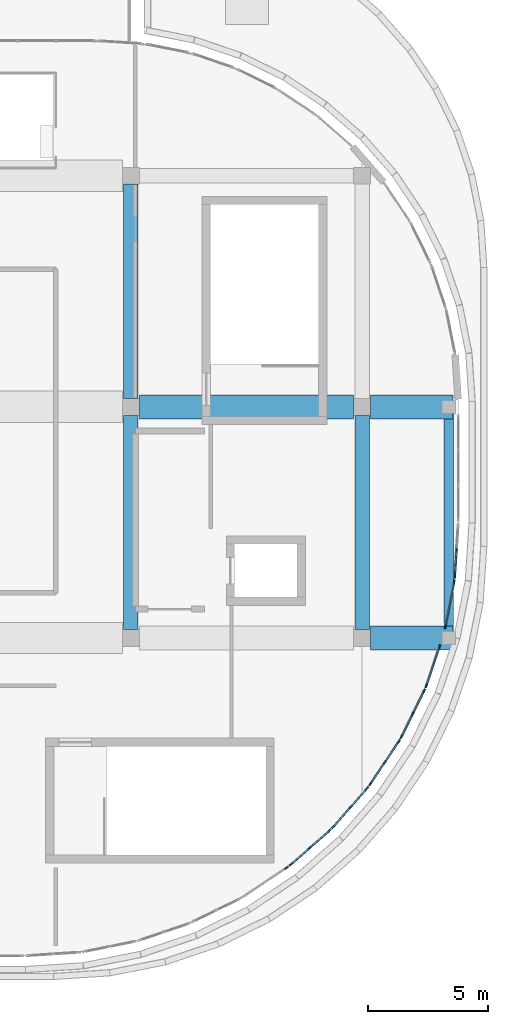
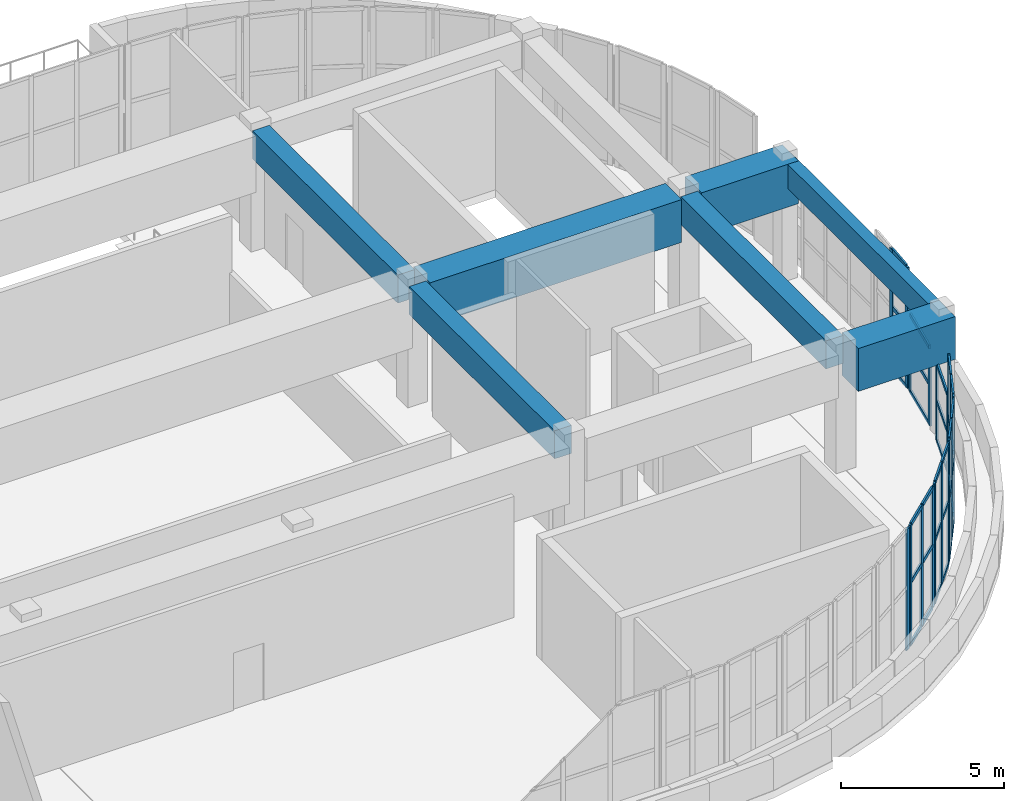
# One storey, part 8 of 23: 52 members, 7 beams, 8 elements without a shape of their own.
"""IFC4 building model written with IfcOpenShell, lengths in metres."""

from ifc_helpers import new_model, si_unit, direction, frame, origin, origin_2d, place, context, subcontext, project, spatial, rectangle, extrude, material, layer, layer_set, material_profile, profile_set, type_object, element, aggregate, save


model = new_model("IFC4")

# Units and contexts
model_context = context("Model", 3, precision=1e-05, world=origin(), true_north=direction((0.0, 1.0)))
body_context = subcontext(model_context, "Body", "Model", "MODEL_VIEW")
ifc_project = project(units=[si_unit("LENGTHUNIT", "METRE"), si_unit("AREAUNIT", "SQUARE_METRE"), si_unit("VOLUMEUNIT", "CUBIC_METRE"), si_unit("PLANEANGLEUNIT", "RADIAN"), si_unit("MASSUNIT", "GRAM", prefix="KILO")], contexts=[model_context])

# Site, building, storey
site_placement = place(None, origin())
site = spatial("IfcSite", under=ifc_project, at=site_placement, CompositionType="ELEMENT")
building_placement = place(site_placement, origin())
building = spatial("IfcBuilding", under=site, at=building_placement, Name="Cendralis Terraced Arcade", CompositionType="ELEMENT")
storey_placement = place(building_placement, frame((0.0, 0.0, 29.39990234375)))
storey = spatial("IfcBuildingStorey", under=building, at=storey_placement, Name="L06", CompositionType="ELEMENT", Elevation=29.39990234375)

# Beams
ifc_material_1 = material(Name="Concrete f'c 35 MPa", Category="concrete")
ifc_material_profile_1 = material_profile(ifc_material_1, rectangle(XDim=0.60009765625, YDim=1.050048828125, at=origin_2d()), Name="RC-BM-600x1050", Category="LoadBearing")
ifc_profile_set_1 = profile_set([ifc_material_profile_1], Name="Concrete f'c 35 MPa")
beam_type_1 = type_object("IfcBeamType", Name="BM-600x1050", PredefinedType="JOIST", material=ifc_profile_set_1)
beam_1_placement = place(storey_placement, frame((48.0, 19.550048828125, 4.0), z_axis=(0.0, 1.0, 0.0), x_axis=(-1.0, 0.0, 0.0)))
element("IfcBeam", 1, at=beam_1_placement, inside=storey, type_object=beam_type_1, Name="Reinforced Concrete Frame Beam BM-Y-RF-6-C_D", PredefinedType="JOIST", context=body_context, shape_type="SweptSolid", body=[
    extrude(rectangle(XDim=0.60009765625, YDim=1.050048828125, at=origin_2d()), origin(), (0.0, 0.0, 1.0), 8.89990234375),
])
beam_2_placement = place(storey_placement, frame((48.0, 29.14990234375, 4.0), z_axis=(0.0, 1.0, 0.0), x_axis=(-1.0, 0.0, 0.0)))
element("IfcBeam", 2, at=beam_2_placement, inside=storey, type_object=beam_type_1, Name="Reinforced Concrete Frame Beam BM-Y-RF-6-D_E", PredefinedType="JOIST", context=body_context, shape_type="SweptSolid", body=[
    extrude(rectangle(XDim=0.60009765625, YDim=1.050048828125, at=origin_2d()), origin(), (0.0, 0.0, 1.0), 8.900146484375),
])
beam_3_placement = place(storey_placement, frame((57.60009765625, 19.550048828125, 4.0), z_axis=(0.0, 1.0, 0.0), x_axis=(-1.0, 0.0, 0.0)))
element("IfcBeam", 3, at=beam_3_placement, inside=storey, type_object=beam_type_1, Name="Reinforced Concrete Frame Beam BM-Y-RF-7-C_D", PredefinedType="JOIST", context=body_context, shape_type="SweptSolid", body=[
    extrude(rectangle(XDim=0.60009765625, YDim=1.050048828125, at=origin_2d()), origin(), (0.0, 0.0, 1.0), 8.89990234375),
])
ifc_material_2 = material(Name="Concrete f'c 42 MPa", Category="concrete")
ifc_material_profile_2 = material_profile(ifc_material_2, rectangle(XDim=1.0, YDim=1.60009765625, at=origin_2d()), Name="RC-TG-1000x1600", Category="LoadBearing")
ifc_profile_set_2 = profile_set([ifc_material_profile_2], Name="Concrete f'c 42 MPa")
beam_type_2 = type_object("IfcBeamType", Name="BM-TG-1000x1600", PredefinedType="USERDEFINED", material=ifc_profile_set_2)
beam_4_placement = place(storey_placement, frame((57.949951171875, 19.199951171875, 3.72509765625), z_axis=(1.0, 0.0, 0.0), x_axis=(0.0, 1.0, 0.0)))
element("IfcBeam", 4, at=beam_4_placement, inside=storey, type_object=beam_type_2, Name="Reinforced Concrete Transfer Girder TG-RF-C-CANT", ObjectType="TRANSFER GIRDER", PredefinedType="USERDEFINED", context=body_context, shape_type="SweptSolid", body=[
    extrude(rectangle(XDim=1.0, YDim=1.60009765625, at=origin_2d()), origin(), (0.0, 0.0, 1.0), 3.429931640625),
])
beam_5_placement = place(storey_placement, frame((48.35009765625, 28.800048828125, 3.72509765625), z_axis=(1.0, 0.0, 0.0), x_axis=(0.0, 1.0, 0.0)))
element("IfcBeam", 5, at=beam_5_placement, inside=storey, type_object=beam_type_2, Name="Reinforced Concrete Transfer Girder TG-RF-D-BACK", ObjectType="TRANSFER GIRDER", PredefinedType="USERDEFINED", context=body_context, shape_type="SweptSolid", body=[
    extrude(rectangle(XDim=1.0, YDim=1.60009765625, at=origin_2d()), origin(), (0.0, 0.0, 1.0), 8.89990234375),
])
beam_6_placement = place(storey_placement, frame((57.949951171875, 28.800048828125, 3.72509765625), z_axis=(1.0, 0.0, 0.0), x_axis=(0.0, 1.0, 0.0)))
element("IfcBeam", 6, at=beam_6_placement, inside=storey, type_object=beam_type_2, Name="Reinforced Concrete Transfer Girder TG-RF-D-CANT", ObjectType="TRANSFER GIRDER", PredefinedType="USERDEFINED", context=body_context, shape_type="SweptSolid", body=[
    extrude(rectangle(XDim=1.0, YDim=1.60009765625, at=origin_2d()), origin(), (0.0, 0.0, 1.0), 3.429931640625),
])

# Curtain wall, members
ifc_material_3 = material(Name="Anodised aluminium EN AW-6063 T6", Category="aluminium")
ifc_layer = layer(ifc_material_3, 0.179931640625, Name="CW-UNIT-A")
ifc_layer_set = layer_set([ifc_layer], Name="Anodised aluminium EN AW-6063 T6")
curtain_wall_type = type_object("IfcCurtainWallType", Name="CW-UNIT-A", PredefinedType="USERDEFINED", material=ifc_layer_set)
curtain_wall_1_placement = place(storey_placement, origin())
curtain_wall_1 = element("IfcCurtainWall", 7, at=curtain_wall_1_placement, inside=storey, type_object=curtain_wall_type, Name="Exterior Unitised Facade CW-L06-0470", ObjectType="UNITISED FACADE", PredefinedType="USERDEFINED")
ifc_material_profile_3 = material_profile(ifc_material_3, rectangle(XDim=0.06494140625, YDim=0.179931640625, at=origin_2d()), Name="ALU-MUL-65x180")
ifc_profile_set_3 = profile_set([ifc_material_profile_3], Name="Anodised aluminium EN AW-6063 T6")
member_type_1 = type_object("IfcMemberType", Name="CW-UNIT-A-MUL", PredefinedType="MULLION", material=ifc_profile_set_3)
member_1_placement = place(storey_placement, frame((61.52294921875, 22.8251953125, 0.0), z_axis=(0.0, 0.0, 1.0), x_axis=(0.99785960626, -0.065392707503, 0.0)))
member_1 = element("IfcMember", 8, at=member_1_placement, type_object=member_type_1, Name="CW-U1 mullion 2", PredefinedType="MULLION", context=body_context, shape_type="SweptSolid", body=[
    extrude(rectangle(XDim=0.06494140625, YDim=0.179931640625, at=origin_2d()), origin(), (0.0, 0.0, 1.0), 4.525146484375),
])
member_2_placement = place(storey_placement, frame((61.4541015625, 21.772705078125, 0.0), z_axis=(0.0, 0.0, 1.0), x_axis=(0.99785960626, -0.065392707503, 0.0)))
member_2 = element("IfcMember", 9, at=member_2_placement, type_object=member_type_1, Name="CW-U1 mullion 3", PredefinedType="MULLION", context=body_context, shape_type="SweptSolid", body=[
    extrude(rectangle(XDim=0.06494140625, YDim=0.179931640625, at=origin_2d()), origin(), (0.0, 0.0, 1.0), 4.525146484375),
])

curtain_wall_2_placement = place(storey_placement, origin())
curtain_wall_2 = element("IfcCurtainWall", 10, at=curtain_wall_2_placement, inside=storey, type_object=curtain_wall_type, Name="Exterior Unitised Facade CW-L06-0471", ObjectType="UNITISED FACADE", PredefinedType="USERDEFINED")
member_3_placement = place(storey_placement, frame((61.422119140625, 21.5302734375, 0.0), z_axis=(0.0, 0.0, 1.0), x_axis=(0.980799222749, -0.195020216019, 0.0)))
member_3 = element("IfcMember", 11, at=member_3_placement, type_object=member_type_1, Name="CW-U1 mullion 1", PredefinedType="MULLION", context=body_context, shape_type="SweptSolid", body=[
    extrude(rectangle(XDim=0.06494140625, YDim=0.179931640625, at=origin_2d()), origin(), (0.0, 0.0, 1.0), 2.9150390625),
])
member_4_placement = place(storey_placement, frame((61.054931640625, 19.68359375, 0.0), z_axis=(0.0, 0.0, 1.0), x_axis=(0.980799222749, -0.195020216019, 0.0)))
member_4 = element("IfcMember", 12, at=member_4_placement, type_object=member_type_1, Name="CW-U1 mullion 2", PredefinedType="MULLION", context=body_context, shape_type="SweptSolid", body=[
    extrude(rectangle(XDim=0.06494140625, YDim=0.179931640625, at=origin_2d()), origin(), (0.0, 0.0, 1.0), 2.9150390625),
])

curtain_wall_3_placement = place(storey_placement, origin())
curtain_wall_3 = element("IfcCurtainWall", 13, at=curtain_wall_3_placement, inside=storey, type_object=curtain_wall_type, Name="Exterior Unitised Facade CW-L06-0472", ObjectType="UNITISED FACADE", PredefinedType="USERDEFINED")
member_5_placement = place(storey_placement, frame((60.814208984375, 18.833251953125, 0.0), z_axis=(0.0, 0.0, 1.0), x_axis=(0.946913564656, -0.321488259615, 0.0)))
member_5 = element("IfcMember", 14, at=member_5_placement, type_object=member_type_1, Name="CW-U1 mullion 1", PredefinedType="MULLION", context=body_context, shape_type="SweptSolid", body=[
    extrude(rectangle(XDim=0.06494140625, YDim=0.179931640625, at=origin_2d()), origin(), (0.0, 0.0, 1.0), 2.9150390625),
])
member_6_placement = place(storey_placement, frame((60.26904296875, 17.227783203125, 0.0), z_axis=(0.0, 0.0, 1.0), x_axis=(0.946913564656, -0.321488259615, 0.0)))
member_6 = element("IfcMember", 15, at=member_6_placement, type_object=member_type_1, Name="CW-U1 mullion 2", PredefinedType="MULLION", context=body_context, shape_type="SweptSolid", body=[
    extrude(rectangle(XDim=0.06494140625, YDim=0.179931640625, at=origin_2d()), origin(), (0.0, 0.0, 1.0), 2.9150390625),
])

curtain_wall_4_placement = place(storey_placement, origin())
curtain_wall_4 = element("IfcCurtainWall", 16, at=curtain_wall_4_placement, inside=storey, type_object=curtain_wall_type, Name="Exterior Unitised Facade CW-L06-0473", ObjectType="UNITISED FACADE", PredefinedType="USERDEFINED")
member_7_placement = place(storey_placement, frame((60.175537109375, 17.001953125, 0.0), z_axis=(0.0, 0.0, 1.0), x_axis=(0.896887612731, -0.442258533133, 0.0)))
member_7 = element("IfcMember", 17, at=member_7_placement, type_object=member_type_1, Name="CW-U1 mullion 1", PredefinedType="MULLION", context=body_context, shape_type="SweptSolid", body=[
    extrude(rectangle(XDim=0.06494140625, YDim=0.179931640625, at=origin_2d()), origin(), (0.0, 0.0, 1.0), 4.525146484375),
])
member_8_placement = place(storey_placement, frame((59.709228515625, 16.055908203125, 0.0), z_axis=(0.0, 0.0, 1.0), x_axis=(0.896887612731, -0.442258533133, 0.0)))
member_8 = element("IfcMember", 18, at=member_8_placement, type_object=member_type_1, Name="CW-U1 mullion 2", PredefinedType="MULLION", context=body_context, shape_type="SweptSolid", body=[
    extrude(rectangle(XDim=0.06494140625, YDim=0.179931640625, at=origin_2d()), origin(), (0.0, 0.0, 1.0), 4.525146484375),
])
member_9_placement = place(storey_placement, frame((59.24267578125, 15.10986328125, 0.0), z_axis=(0.0, 0.0, 1.0), x_axis=(0.896887612731, -0.442258533133, 0.0)))
member_9 = element("IfcMember", 19, at=member_9_placement, type_object=member_type_1, Name="CW-U1 mullion 3", PredefinedType="MULLION", context=body_context, shape_type="SweptSolid", body=[
    extrude(rectangle(XDim=0.06494140625, YDim=0.179931640625, at=origin_2d()), origin(), (0.0, 0.0, 1.0), 4.525146484375),
])

curtain_wall_5_placement = place(storey_placement, origin())
curtain_wall_5 = element("IfcCurtainWall", 20, at=curtain_wall_5_placement, inside=storey, type_object=curtain_wall_type, Name="Exterior Unitised Facade CW-L06-0474", ObjectType="UNITISED FACADE", PredefinedType="USERDEFINED")
member_10_placement = place(storey_placement, frame((59.120361328125, 14.898193359375, 0.0), z_axis=(0.0, 0.0, 1.0), x_axis=(0.831476791301, -0.555559488738, 0.0)))
member_10 = element("IfcMember", 21, at=member_10_placement, type_object=member_type_1, Name="CW-U1 mullion 1", PredefinedType="MULLION", context=body_context, shape_type="SweptSolid", body=[
    extrude(rectangle(XDim=0.06494140625, YDim=0.179931640625, at=origin_2d()), origin(), (0.0, 0.0, 1.0), 4.525146484375),
])
member_11_placement = place(storey_placement, frame((58.534423828125, 14.021240234375, 0.0), z_axis=(0.0, 0.0, 1.0), x_axis=(0.831476791301, -0.555559488738, 0.0)))
member_11 = element("IfcMember", 22, at=member_11_placement, type_object=member_type_1, Name="CW-U1 mullion 2", PredefinedType="MULLION", context=body_context, shape_type="SweptSolid", body=[
    extrude(rectangle(XDim=0.06494140625, YDim=0.179931640625, at=origin_2d()), origin(), (0.0, 0.0, 1.0), 4.525146484375),
])
member_12_placement = place(storey_placement, frame((57.948486328125, 13.14404296875, 0.0), z_axis=(0.0, 0.0, 1.0), x_axis=(0.831476791301, -0.555559488738, 0.0)))
member_12 = element("IfcMember", 23, at=member_12_placement, type_object=member_type_1, Name="CW-U1 mullion 3", PredefinedType="MULLION", context=body_context, shape_type="SweptSolid", body=[
    extrude(rectangle(XDim=0.06494140625, YDim=0.179931640625, at=origin_2d()), origin(), (0.0, 0.0, 1.0), 4.525146484375),
])

curtain_wall_6_placement = place(storey_placement, origin())
curtain_wall_6 = element("IfcCurtainWall", 24, at=curtain_wall_6_placement, inside=storey, type_object=curtain_wall_type, Name="Exterior Unitised Facade CW-L06-0475", ObjectType="UNITISED FACADE", PredefinedType="USERDEFINED")
member_13_placement = place(storey_placement, frame((57.799560546875, 12.9501953125, 0.0), z_axis=(0.0, 0.0, 1.0), x_axis=(0.75178990847, -0.659402709672, 0.0)))
member_13 = element("IfcMember", 25, at=member_13_placement, type_object=member_type_1, Name="CW-U1 mullion 1", PredefinedType="MULLION", context=body_context, shape_type="SweptSolid", body=[
    extrude(rectangle(XDim=0.06494140625, YDim=0.179931640625, at=origin_2d()), origin(), (0.0, 0.0, 1.0), 4.525146484375),
])
member_14_placement = place(storey_placement, frame((57.104248046875, 12.1572265625, 0.0), z_axis=(0.0, 0.0, 1.0), x_axis=(0.75178990847, -0.659402709672, 0.0)))
member_14 = element("IfcMember", 26, at=member_14_placement, type_object=member_type_1, Name="CW-U1 mullion 2", PredefinedType="MULLION", context=body_context, shape_type="SweptSolid", body=[
    extrude(rectangle(XDim=0.06494140625, YDim=0.179931640625, at=origin_2d()), origin(), (0.0, 0.0, 1.0), 4.525146484375),
])
member_15_placement = place(storey_placement, frame((56.40869140625, 11.3642578125, 0.0), z_axis=(0.0, 0.0, 1.0), x_axis=(0.75178990847, -0.659402709672, 0.0)))
member_15 = element("IfcMember", 27, at=member_15_placement, type_object=member_type_1, Name="CW-U1 mullion 3", PredefinedType="MULLION", context=body_context, shape_type="SweptSolid", body=[
    extrude(rectangle(XDim=0.06494140625, YDim=0.179931640625, at=origin_2d()), origin(), (0.0, 0.0, 1.0), 4.525146484375),
])

curtain_wall_7_placement = place(storey_placement, origin())
curtain_wall_7 = element("IfcCurtainWall", 28, at=curtain_wall_7_placement, inside=storey, type_object=curtain_wall_type, Name="Exterior Unitised Facade CW-L06-0476", ObjectType="UNITISED FACADE", PredefinedType="USERDEFINED")
member_16_placement = place(storey_placement, frame((56.23583984375, 11.19140625, 0.0), z_axis=(0.0, 0.0, 1.0), x_axis=(0.659402709672, -0.75178990847, 0.0)))
member_16 = element("IfcMember", 29, at=member_16_placement, type_object=member_type_1, Name="CW-U1 mullion 1", PredefinedType="MULLION", context=body_context, shape_type="SweptSolid", body=[
    extrude(rectangle(XDim=0.06494140625, YDim=0.179931640625, at=origin_2d()), origin(), (0.0, 0.0, 1.0), 4.525146484375),
])
member_17_placement = place(storey_placement, frame((55.44287109375, 10.495849609375, 0.0), z_axis=(0.0, 0.0, 1.0), x_axis=(0.659402709672, -0.75178990847, 0.0)))
member_17 = element("IfcMember", 30, at=member_17_placement, type_object=member_type_1, Name="CW-U1 mullion 2", PredefinedType="MULLION", context=body_context, shape_type="SweptSolid", body=[
    extrude(rectangle(XDim=0.06494140625, YDim=0.179931640625, at=origin_2d()), origin(), (0.0, 0.0, 1.0), 4.525146484375),
])
member_18_placement = place(storey_placement, frame((54.64990234375, 9.80029296875, 0.0), z_axis=(0.0, 0.0, 1.0), x_axis=(0.659402709672, -0.75178990847, 0.0)))
member_18 = element("IfcMember", 31, at=member_18_placement, type_object=member_type_1, Name="CW-U1 mullion 3", PredefinedType="MULLION", context=body_context, shape_type="SweptSolid", body=[
    extrude(rectangle(XDim=0.06494140625, YDim=0.179931640625, at=origin_2d()), origin(), (0.0, 0.0, 1.0), 4.525146484375),
])

# Curtain wall, member
curtain_wall_8_placement = place(storey_placement, origin())
curtain_wall_8 = element("IfcCurtainWall", 32, at=curtain_wall_8_placement, inside=storey, type_object=curtain_wall_type, Name="Exterior Unitised Facade CW-L06-0477", ObjectType="UNITISED FACADE", PredefinedType="USERDEFINED")
member_19_placement = place(storey_placement, frame((54.455810546875, 9.651611328125, 0.0), z_axis=(0.0, 0.0, 1.0), x_axis=(0.555559488738, -0.831476791301, 0.0)))
member_19 = element("IfcMember", 33, at=member_19_placement, type_object=member_type_1, Name="CW-U1 mullion 1", PredefinedType="MULLION", context=body_context, shape_type="SweptSolid", body=[
    extrude(rectangle(XDim=0.06494140625, YDim=0.179931640625, at=origin_2d()), origin(), (0.0, 0.0, 1.0), 4.525146484375),
])
aggregate(curtain_wall_8, [member_19])

# Member
ifc_material_profile_4 = material_profile(ifc_material_3, rectangle(XDim=0.06494140625, YDim=0.14990234375, at=origin_2d()), Name="ALU-TRN-65x150")
ifc_profile_set_4 = profile_set([ifc_material_profile_4], Name="Anodised aluminium EN AW-6063 T6")
member_type_2 = type_object("IfcMemberType", Name="CW-UNIT-A-TRN", PredefinedType="USERDEFINED", material=ifc_profile_set_4)
member_20_placement = place(storey_placement, frame((61.52099609375, 22.792724609375, 0.03271484375), z_axis=(-0.065618470456, -0.997844785693, 0.0), x_axis=(0.997844785693, -0.065618470456, 0.0)))
member_20 = element("IfcMember", 34, at=member_20_placement, type_object=member_type_2, Name="CW-U1 transom 2.1", ObjectType="TRANSOM", PredefinedType="USERDEFINED", context=body_context, shape_type="SweptSolid", body=[
    extrude(rectangle(XDim=0.06494140625, YDim=0.14990234375, at=origin_2d()), origin(), (0.0, 0.0, 1.0), 0.98974609375),
])

member_21_placement = place(storey_placement, frame((61.52099609375, 22.792724609375, 2.35302734375), z_axis=(-0.065618470456, -0.997844785693, 0.0), x_axis=(0.997844785693, -0.065618470456, 0.0)))
member_21 = element("IfcMember", 35, at=member_21_placement, type_object=member_type_2, Name="CW-U1 transom 2.2", ObjectType="TRANSOM", PredefinedType="USERDEFINED", context=body_context, shape_type="SweptSolid", body=[
    extrude(rectangle(XDim=0.06494140625, YDim=0.14990234375, at=origin_2d()), origin(), (0.0, 0.0, 1.0), 0.98974609375),
])

member_22_placement = place(storey_placement, frame((61.52099609375, 22.792724609375, 4.49267578125), z_axis=(-0.065618470456, -0.997844785693, 0.0), x_axis=(0.997844785693, -0.065618470456, 0.0)))
member_22 = element("IfcMember", 36, at=member_22_placement, type_object=member_type_2, Name="CW-U1 transom 2.3", ObjectType="TRANSOM", PredefinedType="USERDEFINED", context=body_context, shape_type="SweptSolid", body=[
    extrude(rectangle(XDim=0.06494140625, YDim=0.14990234375, at=origin_2d()), origin(), (0.0, 0.0, 1.0), 0.98974609375),
])

aggregate(curtain_wall_1, [member_1, member_2, member_20, member_21, member_22])

member_23_placement = place(storey_placement, frame((61.415771484375, 21.49853515625, 0.03271484375), z_axis=(-0.194979757801, -0.980807266515, 0.0), x_axis=(0.980807266515, -0.194979757801, 0.0)))
member_23 = element("IfcMember", 37, at=member_23_placement, type_object=member_type_2, Name="CW-U1 transom 1.1", ObjectType="TRANSOM", PredefinedType="USERDEFINED", context=body_context, shape_type="SweptSolid", body=[
    extrude(rectangle(XDim=0.06494140625, YDim=0.14990234375, at=origin_2d()), origin(), (0.0, 0.0, 1.0), 1.818115234375),
])

member_24_placement = place(storey_placement, frame((61.415771484375, 21.49853515625, 1.515869140625), z_axis=(-0.194979757801, -0.980807266515, 0.0), x_axis=(0.980807266515, -0.194979757801, 0.0)))
member_24 = element("IfcMember", 38, at=member_24_placement, type_object=member_type_2, Name="CW-U1 transom 1.2", ObjectType="TRANSOM", PredefinedType="USERDEFINED", context=body_context, shape_type="SweptSolid", body=[
    extrude(rectangle(XDim=0.06494140625, YDim=0.14990234375, at=origin_2d()), origin(), (0.0, 0.0, 1.0), 1.818115234375),
])

member_25_placement = place(storey_placement, frame((61.415771484375, 21.49853515625, 2.882568359375), z_axis=(-0.194979757801, -0.980807266515, 0.0), x_axis=(0.980807266515, -0.194979757801, 0.0)))
member_25 = element("IfcMember", 39, at=member_25_placement, type_object=member_type_2, Name="CW-U1 transom 1.3", ObjectType="TRANSOM", PredefinedType="USERDEFINED", context=body_context, shape_type="SweptSolid", body=[
    extrude(rectangle(XDim=0.06494140625, YDim=0.14990234375, at=origin_2d()), origin(), (0.0, 0.0, 1.0), 1.818115234375),
])

aggregate(curtain_wall_2, [member_3, member_4, member_23, member_24, member_25])

member_26_placement = place(storey_placement, frame((60.8037109375, 18.802490234375, 0.03271484375), z_axis=(-0.321478571359, -0.946916853877, 0.0), x_axis=(0.946916853877, -0.321478571359, 0.0)))
member_26 = element("IfcMember", 40, at=member_26_placement, type_object=member_type_2, Name="CW-U1 transom 1.1", ObjectType="TRANSOM", PredefinedType="USERDEFINED", context=body_context, shape_type="SweptSolid", body=[
    extrude(rectangle(XDim=0.06494140625, YDim=0.14990234375, at=origin_2d()), origin(), (0.0, 0.0, 1.0), 1.630615234375),
])

member_27_placement = place(storey_placement, frame((60.8037109375, 18.802490234375, 1.515869140625), z_axis=(-0.321478571359, -0.946916853877, 0.0), x_axis=(0.946916853877, -0.321478571359, 0.0)))
member_27 = element("IfcMember", 41, at=member_27_placement, type_object=member_type_2, Name="CW-U1 transom 1.2", ObjectType="TRANSOM", PredefinedType="USERDEFINED", context=body_context, shape_type="SweptSolid", body=[
    extrude(rectangle(XDim=0.06494140625, YDim=0.14990234375, at=origin_2d()), origin(), (0.0, 0.0, 1.0), 1.630615234375),
])

member_28_placement = place(storey_placement, frame((60.8037109375, 18.802490234375, 2.882568359375), z_axis=(-0.321478571359, -0.946916853877, 0.0), x_axis=(0.946916853877, -0.321478571359, 0.0)))
member_28 = element("IfcMember", 42, at=member_28_placement, type_object=member_type_2, Name="CW-U1 transom 1.3", ObjectType="TRANSOM", PredefinedType="USERDEFINED", context=body_context, shape_type="SweptSolid", body=[
    extrude(rectangle(XDim=0.06494140625, YDim=0.14990234375, at=origin_2d()), origin(), (0.0, 0.0, 1.0), 1.630615234375),
])

aggregate(curtain_wall_3, [member_5, member_6, member_26, member_27, member_28])

member_29_placement = place(storey_placement, frame((60.1611328125, 16.97265625, 0.03271484375), z_axis=(-0.442075008345, -0.896978086129, 0.0), x_axis=(0.896978086129, -0.442075008345, 0.0)))
member_29 = element("IfcMember", 43, at=member_29_placement, type_object=member_type_2, Name="CW-U1 transom 1.1", ObjectType="TRANSOM", PredefinedType="USERDEFINED", context=body_context, shape_type="SweptSolid", body=[
    extrude(rectangle(XDim=0.06494140625, YDim=0.14990234375, at=origin_2d()), origin(), (0.0, 0.0, 1.0), 0.98974609375),
])

member_30_placement = place(storey_placement, frame((60.1611328125, 16.97265625, 2.35302734375), z_axis=(-0.442075008345, -0.896978086129, 0.0), x_axis=(0.896978086129, -0.442075008345, 0.0)))
member_30 = element("IfcMember", 44, at=member_30_placement, type_object=member_type_2, Name="CW-U1 transom 1.2", ObjectType="TRANSOM", PredefinedType="USERDEFINED", context=body_context, shape_type="SweptSolid", body=[
    extrude(rectangle(XDim=0.06494140625, YDim=0.14990234375, at=origin_2d()), origin(), (0.0, 0.0, 1.0), 0.98974609375),
])

member_31_placement = place(storey_placement, frame((60.1611328125, 16.97265625, 4.49267578125), z_axis=(-0.442075008345, -0.896978086129, 0.0), x_axis=(0.896978086129, -0.442075008345, 0.0)))
member_31 = element("IfcMember", 45, at=member_31_placement, type_object=member_type_2, Name="CW-U1 transom 1.3", ObjectType="TRANSOM", PredefinedType="USERDEFINED", context=body_context, shape_type="SweptSolid", body=[
    extrude(rectangle(XDim=0.06494140625, YDim=0.14990234375, at=origin_2d()), origin(), (0.0, 0.0, 1.0), 0.98974609375),
])

member_32_placement = place(storey_placement, frame((59.69482421875, 16.026611328125, 0.03271484375), z_axis=(-0.442273458104, -0.89688025302, 0.0), x_axis=(0.89688025302, -0.442273458104, 0.0)))
member_32 = element("IfcMember", 46, at=member_32_placement, type_object=member_type_2, Name="CW-U1 transom 2.1", ObjectType="TRANSOM", PredefinedType="USERDEFINED", context=body_context, shape_type="SweptSolid", body=[
    extrude(rectangle(XDim=0.06494140625, YDim=0.14990234375, at=origin_2d()), origin(), (0.0, 0.0, 1.0), 0.98974609375),
])

member_33_placement = place(storey_placement, frame((59.69482421875, 16.026611328125, 2.35302734375), z_axis=(-0.442273458104, -0.89688025302, 0.0), x_axis=(0.89688025302, -0.442273458104, 0.0)))
member_33 = element("IfcMember", 47, at=member_33_placement, type_object=member_type_2, Name="CW-U1 transom 2.2", ObjectType="TRANSOM", PredefinedType="USERDEFINED", context=body_context, shape_type="SweptSolid", body=[
    extrude(rectangle(XDim=0.06494140625, YDim=0.14990234375, at=origin_2d()), origin(), (0.0, 0.0, 1.0), 0.98974609375),
])

member_34_placement = place(storey_placement, frame((59.69482421875, 16.026611328125, 4.49267578125), z_axis=(-0.442273458104, -0.89688025302, 0.0), x_axis=(0.89688025302, -0.442273458104, 0.0)))
member_34 = element("IfcMember", 48, at=member_34_placement, type_object=member_type_2, Name="CW-U1 transom 2.3", ObjectType="TRANSOM", PredefinedType="USERDEFINED", context=body_context, shape_type="SweptSolid", body=[
    extrude(rectangle(XDim=0.06494140625, YDim=0.14990234375, at=origin_2d()), origin(), (0.0, 0.0, 1.0), 0.98974609375),
])

aggregate(curtain_wall_4, [member_7, member_8, member_9, member_29, member_30, member_31, member_32, member_33, member_34])

member_35_placement = place(storey_placement, frame((59.102294921875, 14.87109375, 0.03271484375), z_axis=(-0.555496869946, -0.83151862726, 0.0), x_axis=(0.83151862726, -0.555496869946, 0.0)))
member_35 = element("IfcMember", 49, at=member_35_placement, type_object=member_type_2, Name="CW-U1 transom 1.1", ObjectType="TRANSOM", PredefinedType="USERDEFINED", context=body_context, shape_type="SweptSolid", body=[
    extrude(rectangle(XDim=0.06494140625, YDim=0.14990234375, at=origin_2d()), origin(), (0.0, 0.0, 1.0), 0.98974609375),
])

member_36_placement = place(storey_placement, frame((59.102294921875, 14.87109375, 2.35302734375), z_axis=(-0.555496869946, -0.83151862726, 0.0), x_axis=(0.83151862726, -0.555496869946, 0.0)))
member_36 = element("IfcMember", 50, at=member_36_placement, type_object=member_type_2, Name="CW-U1 transom 1.2", ObjectType="TRANSOM", PredefinedType="USERDEFINED", context=body_context, shape_type="SweptSolid", body=[
    extrude(rectangle(XDim=0.06494140625, YDim=0.14990234375, at=origin_2d()), origin(), (0.0, 0.0, 1.0), 0.98974609375),
])

member_37_placement = place(storey_placement, frame((59.102294921875, 14.87109375, 4.49267578125), z_axis=(-0.555496869946, -0.83151862726, 0.0), x_axis=(0.83151862726, -0.555496869946, 0.0)))
member_37 = element("IfcMember", 51, at=member_37_placement, type_object=member_type_2, Name="CW-U1 transom 1.3", ObjectType="TRANSOM", PredefinedType="USERDEFINED", context=body_context, shape_type="SweptSolid", body=[
    extrude(rectangle(XDim=0.06494140625, YDim=0.14990234375, at=origin_2d()), origin(), (0.0, 0.0, 1.0), 0.98974609375),
])

member_38_placement = place(storey_placement, frame((58.516357421875, 13.994140625, 0.03271484375), z_axis=(-0.555496869946, -0.83151862726, 0.0), x_axis=(0.83151862726, -0.555496869946, 0.0)))
member_38 = element("IfcMember", 52, at=member_38_placement, type_object=member_type_2, Name="CW-U1 transom 2.1", ObjectType="TRANSOM", PredefinedType="USERDEFINED", context=body_context, shape_type="SweptSolid", body=[
    extrude(rectangle(XDim=0.06494140625, YDim=0.14990234375, at=origin_2d()), origin(), (0.0, 0.0, 1.0), 0.98974609375),
])

member_39_placement = place(storey_placement, frame((58.516357421875, 13.994140625, 2.35302734375), z_axis=(-0.555496869946, -0.83151862726, 0.0), x_axis=(0.83151862726, -0.555496869946, 0.0)))
member_39 = element("IfcMember", 53, at=member_39_placement, type_object=member_type_2, Name="CW-U1 transom 2.2", ObjectType="TRANSOM", PredefinedType="USERDEFINED", context=body_context, shape_type="SweptSolid", body=[
    extrude(rectangle(XDim=0.06494140625, YDim=0.14990234375, at=origin_2d()), origin(), (0.0, 0.0, 1.0), 0.98974609375),
])

member_40_placement = place(storey_placement, frame((58.516357421875, 13.994140625, 4.49267578125), z_axis=(-0.555496869946, -0.83151862726, 0.0), x_axis=(0.83151862726, -0.555496869946, 0.0)))
member_40 = element("IfcMember", 54, at=member_40_placement, type_object=member_type_2, Name="CW-U1 transom 2.3", ObjectType="TRANSOM", PredefinedType="USERDEFINED", context=body_context, shape_type="SweptSolid", body=[
    extrude(rectangle(XDim=0.06494140625, YDim=0.14990234375, at=origin_2d()), origin(), (0.0, 0.0, 1.0), 0.98974609375),
])

aggregate(curtain_wall_5, [member_10, member_11, member_12, member_35, member_36, member_37, member_38, member_39, member_40])

member_41_placement = place(storey_placement, frame((57.7783203125, 12.92578125, 0.03271484375), z_axis=(-0.65948183175, -0.751720502309, 0.0), x_axis=(0.751720502309, -0.65948183175, 0.0)))
member_41 = element("IfcMember", 55, at=member_41_placement, type_object=member_type_2, Name="CW-U1 transom 1.1", ObjectType="TRANSOM", PredefinedType="USERDEFINED", context=body_context, shape_type="SweptSolid", body=[
    extrude(rectangle(XDim=0.06494140625, YDim=0.14990234375, at=origin_2d()), origin(), (0.0, 0.0, 1.0), 0.989990234375),
])

member_42_placement = place(storey_placement, frame((57.7783203125, 12.92578125, 2.35302734375), z_axis=(-0.65948183175, -0.751720502309, 0.0), x_axis=(0.751720502309, -0.65948183175, 0.0)))
member_42 = element("IfcMember", 56, at=member_42_placement, type_object=member_type_2, Name="CW-U1 transom 1.2", ObjectType="TRANSOM", PredefinedType="USERDEFINED", context=body_context, shape_type="SweptSolid", body=[
    extrude(rectangle(XDim=0.06494140625, YDim=0.14990234375, at=origin_2d()), origin(), (0.0, 0.0, 1.0), 0.989990234375),
])

member_43_placement = place(storey_placement, frame((57.7783203125, 12.92578125, 4.49267578125), z_axis=(-0.65948183175, -0.751720502309, 0.0), x_axis=(0.751720502309, -0.65948183175, 0.0)))
member_43 = element("IfcMember", 57, at=member_43_placement, type_object=member_type_2, Name="CW-U1 transom 1.3", ObjectType="TRANSOM", PredefinedType="USERDEFINED", context=body_context, shape_type="SweptSolid", body=[
    extrude(rectangle(XDim=0.06494140625, YDim=0.14990234375, at=origin_2d()), origin(), (0.0, 0.0, 1.0), 0.989990234375),
])

member_44_placement = place(storey_placement, frame((57.082763671875, 12.1328125, 0.03271484375), z_axis=(-0.659342432582, -0.751842773854, 0.0), x_axis=(0.751842773854, -0.659342432582, 0.0)))
member_44 = element("IfcMember", 58, at=member_44_placement, type_object=member_type_2, Name="CW-U1 transom 2.1", ObjectType="TRANSOM", PredefinedType="USERDEFINED", context=body_context, shape_type="SweptSolid", body=[
    extrude(rectangle(XDim=0.06494140625, YDim=0.14990234375, at=origin_2d()), origin(), (0.0, 0.0, 1.0), 0.98974609375),
])

member_45_placement = place(storey_placement, frame((57.082763671875, 12.1328125, 2.35302734375), z_axis=(-0.659342432582, -0.751842773854, 0.0), x_axis=(0.751842773854, -0.659342432582, 0.0)))
member_45 = element("IfcMember", 59, at=member_45_placement, type_object=member_type_2, Name="CW-U1 transom 2.2", ObjectType="TRANSOM", PredefinedType="USERDEFINED", context=body_context, shape_type="SweptSolid", body=[
    extrude(rectangle(XDim=0.06494140625, YDim=0.14990234375, at=origin_2d()), origin(), (0.0, 0.0, 1.0), 0.98974609375),
])

member_46_placement = place(storey_placement, frame((57.082763671875, 12.1328125, 4.49267578125), z_axis=(-0.659342432582, -0.751842773854, 0.0), x_axis=(0.751842773854, -0.659342432582, 0.0)))
member_46 = element("IfcMember", 60, at=member_46_placement, type_object=member_type_2, Name="CW-U1 transom 2.3", ObjectType="TRANSOM", PredefinedType="USERDEFINED", context=body_context, shape_type="SweptSolid", body=[
    extrude(rectangle(XDim=0.06494140625, YDim=0.14990234375, at=origin_2d()), origin(), (0.0, 0.0, 1.0), 0.98974609375),
])

aggregate(curtain_wall_6, [member_13, member_14, member_15, member_41, member_42, member_43, member_44, member_45, member_46])

member_47_placement = place(storey_placement, frame((56.21142578125, 11.169921875, 0.03271484375), z_axis=(-0.751842773854, -0.659342432582, 0.0), x_axis=(0.659342432582, -0.751842773854, 0.0)))
member_47 = element("IfcMember", 61, at=member_47_placement, type_object=member_type_2, Name="CW-U1 transom 1.1", ObjectType="TRANSOM", PredefinedType="USERDEFINED", context=body_context, shape_type="SweptSolid", body=[
    extrude(rectangle(XDim=0.06494140625, YDim=0.14990234375, at=origin_2d()), origin(), (0.0, 0.0, 1.0), 0.98974609375),
])

member_48_placement = place(storey_placement, frame((56.21142578125, 11.169921875, 2.35302734375), z_axis=(-0.751842773854, -0.659342432582, 0.0), x_axis=(0.659342432582, -0.751842773854, 0.0)))
member_48 = element("IfcMember", 62, at=member_48_placement, type_object=member_type_2, Name="CW-U1 transom 1.2", ObjectType="TRANSOM", PredefinedType="USERDEFINED", context=body_context, shape_type="SweptSolid", body=[
    extrude(rectangle(XDim=0.06494140625, YDim=0.14990234375, at=origin_2d()), origin(), (0.0, 0.0, 1.0), 0.98974609375),
])

member_49_placement = place(storey_placement, frame((56.21142578125, 11.169921875, 4.49267578125), z_axis=(-0.751842773854, -0.659342432582, 0.0), x_axis=(0.659342432582, -0.751842773854, 0.0)))
member_49 = element("IfcMember", 63, at=member_49_placement, type_object=member_type_2, Name="CW-U1 transom 1.3", ObjectType="TRANSOM", PredefinedType="USERDEFINED", context=body_context, shape_type="SweptSolid", body=[
    extrude(rectangle(XDim=0.06494140625, YDim=0.14990234375, at=origin_2d()), origin(), (0.0, 0.0, 1.0), 0.98974609375),
])

member_50_placement = place(storey_placement, frame((55.41845703125, 10.474365234375, 0.03271484375), z_axis=(-0.751842773854, -0.659342432582, 0.0), x_axis=(0.659342432582, -0.751842773854, 0.0)))
member_50 = element("IfcMember", 64, at=member_50_placement, type_object=member_type_2, Name="CW-U1 transom 2.1", ObjectType="TRANSOM", PredefinedType="USERDEFINED", context=body_context, shape_type="SweptSolid", body=[
    extrude(rectangle(XDim=0.06494140625, YDim=0.14990234375, at=origin_2d()), origin(), (0.0, 0.0, 1.0), 0.98974609375),
])

member_51_placement = place(storey_placement, frame((55.41845703125, 10.474365234375, 2.35302734375), z_axis=(-0.751842773854, -0.659342432582, 0.0), x_axis=(0.659342432582, -0.751842773854, 0.0)))
member_51 = element("IfcMember", 65, at=member_51_placement, type_object=member_type_2, Name="CW-U1 transom 2.2", ObjectType="TRANSOM", PredefinedType="USERDEFINED", context=body_context, shape_type="SweptSolid", body=[
    extrude(rectangle(XDim=0.06494140625, YDim=0.14990234375, at=origin_2d()), origin(), (0.0, 0.0, 1.0), 0.98974609375),
])

member_52_placement = place(storey_placement, frame((55.41845703125, 10.474365234375, 4.49267578125), z_axis=(-0.751842773854, -0.659342432582, 0.0), x_axis=(0.659342432582, -0.751842773854, 0.0)))
member_52 = element("IfcMember", 66, at=member_52_placement, type_object=member_type_2, Name="CW-U1 transom 2.3", ObjectType="TRANSOM", PredefinedType="USERDEFINED", context=body_context, shape_type="SweptSolid", body=[
    extrude(rectangle(XDim=0.06494140625, YDim=0.14990234375, at=origin_2d()), origin(), (0.0, 0.0, 1.0), 0.98974609375),
])

aggregate(curtain_wall_7, [member_16, member_17, member_18, member_47, member_48, member_49, member_50, member_51, member_52])

# Beam
ifc_material_profile_5 = material_profile(ifc_material_1, rectangle(XDim=0.39990234375, YDim=0.89990234375, at=origin_2d()), Name="RC-SP-400x900", Category="LoadBearing")
ifc_profile_set_5 = profile_set([ifc_material_profile_5], Name="Concrete f'c 35 MPa")
beam_type_3 = type_object("IfcBeamType", Name="SP-400x900", PredefinedType="SPANDREL", material=ifc_profile_set_5)
beam_7_placement = place(storey_placement, frame((61.199951171875, 19.199951171875, 4.0751953125), z_axis=(0.0, 1.0, 0.0), x_axis=(-1.0, 0.0, 0.0)))
element("IfcBeam", 67, at=beam_7_placement, inside=storey, type_object=beam_type_3, Name="Crown Overhang Edge Spandrel RF", PredefinedType="SPANDREL", context=body_context, shape_type="SweptSolid", body=[
    extrude(rectangle(XDim=0.39990234375, YDim=0.89990234375, at=origin_2d()), origin(), (0.0, 0.0, 1.0), 9.60009765625),
])

save(model, "model.ifc")
